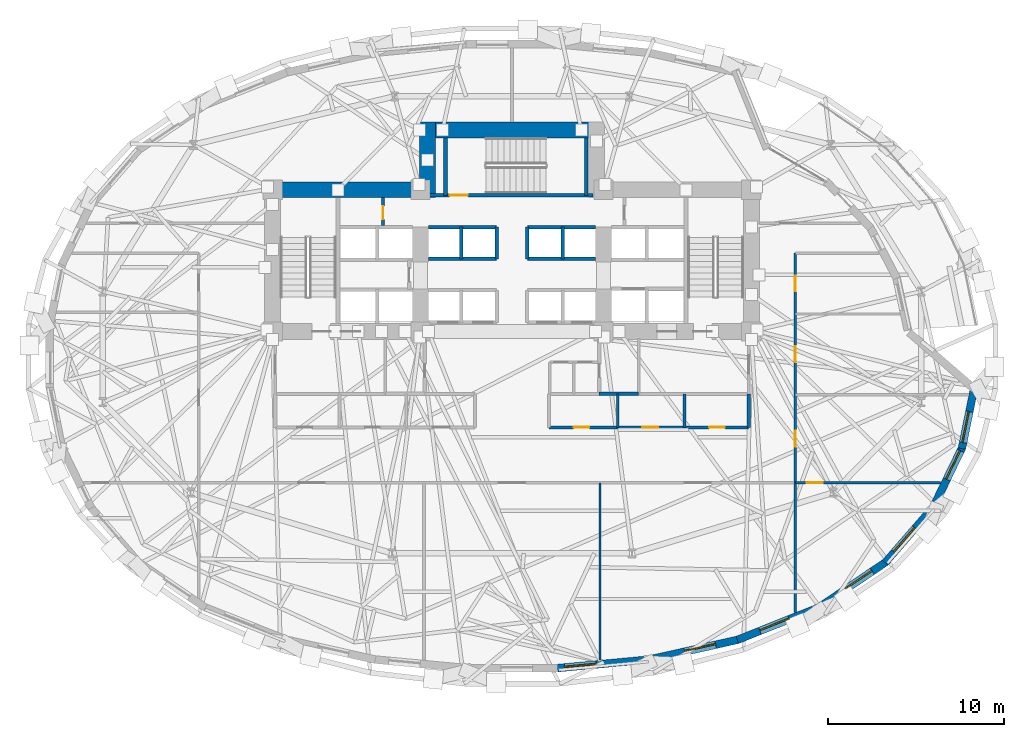
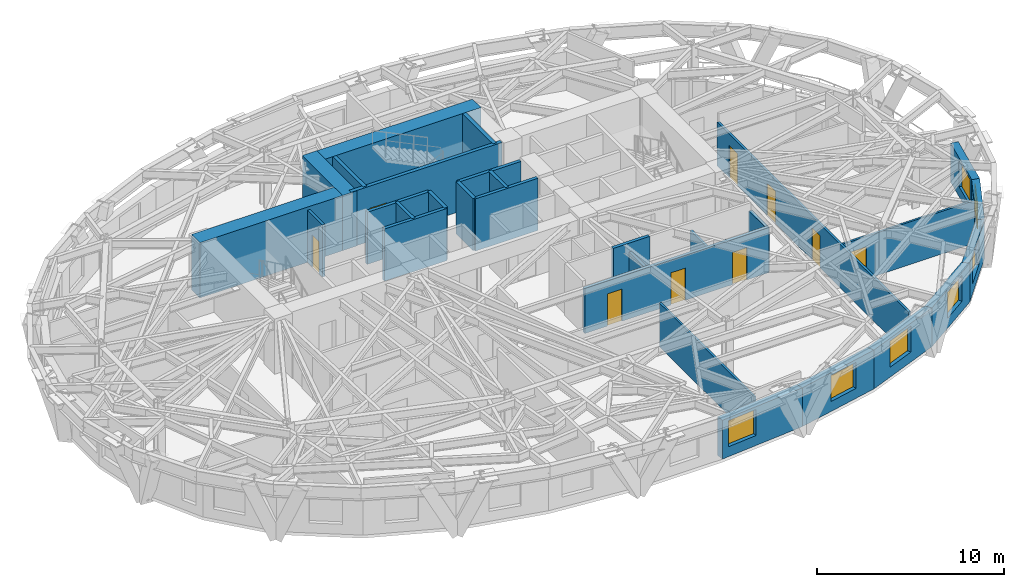
# One storey, part 9 of 15: 30 walls, 9 doors, 7 windows, 16 openings.
"""IFC4 building model written with IfcOpenShell, lengths in metres."""

from ifc_helpers import new_model, si_unit, direction, frame, frame_2d, origin, place, context, subcontext, project, spatial, rectangle, extrude, material, layer, layer_set, type_object, element, fill, save


model = new_model("IFC4")

# Units and contexts
model_context = context("Model", 3, precision=1e-05, world=origin(), true_north=direction((0.0, 1.0)))
body_context = subcontext(model_context, "Body", "Model", "MODEL_VIEW")
ifc_project = project(units=[si_unit("LENGTHUNIT", "METRE"), si_unit("AREAUNIT", "SQUARE_METRE"), si_unit("VOLUMEUNIT", "CUBIC_METRE"), si_unit("PLANEANGLEUNIT", "RADIAN"), si_unit("MASSUNIT", "GRAM", prefix="KILO")], contexts=[model_context])

# Site, building, storey
site_placement = place(None, origin())
site = spatial("IfcSite", under=ifc_project, at=site_placement, CompositionType="ELEMENT")
building_placement = place(site_placement, origin())
building = spatial("IfcBuilding", under=site, at=building_placement, Name="Keldmark Tower", CompositionType="ELEMENT")
storey_placement = place(building_placement, frame((0.0, 0.0, 37.800048828125)))
storey = spatial("IfcBuildingStorey", under=building, at=storey_placement, Name="L09", CompositionType="ELEMENT", Elevation=37.800048828125)

# Wall, openings, doors
ifc_material_1 = material(Name="Acoustic Double-Layer Gypsum Corridor Partition", Category="gypsum")
ifc_layer_1 = layer(ifc_material_1, 0.139892578125)
ifc_layer_set_1 = layer_set([ifc_layer_1], Name="Acoustic Double-Layer Gypsum Corridor Partition")
wall_type_1 = type_object("IfcWallType", Name="Acoustic Corridor Partition 140 mm", PredefinedType="PARTITIONING", material=ifc_layer_set_1)
wall_1_placement = place(storey_placement, frame((16.10009765625, -14.56640625, 0.0), z_axis=(0.0, 0.0, 1.0), x_axis=(0.0, 1.0, 0.0)))
wall_1 = element("IfcWall", 1, at=wall_1_placement, inside=storey, type_object=wall_type_1, Name="L09 Acoustic Corridor Partition 140 mm COR-E", PredefinedType="PARTITIONING", context=body_context, shape_type="SweptSolid", body=[
    extrude(rectangle(XDim=20.41650390625, YDim=0.139892578125, at=frame_2d((10.208251953125, 0.0))), origin(), (0.0, 0.0, 1.0), 2.841064453125),
])
opening_1_placement = place(wall_1_placement, frame((9.41650390625, 0.0, 0.0)))
opening_1 = element("IfcOpeningElement", 2, at=opening_1_placement, cuts=wall_1, Name="Opening D-IN090", PredefinedType="OPENING", context=body_context, shape_type="SweptSolid", body=[
    extrude(rectangle(XDim=0.89990234375, YDim=2.10009765625, at=frame_2d((0.449951171875, 1.050048828125))), frame((0.0, 0.079833984375, 0.0), z_axis=(0.0, -1.0, 0.0), x_axis=(1.0, 0.0, 0.0)), (0.0, 0.0, 1.0), 0.159912109375),
])
opening_2_placement = place(wall_1_placement, frame((14.21630859375, 0.0, 0.0)))
opening_2 = element("IfcOpeningElement", 3, at=opening_2_placement, cuts=wall_1, Name="Opening D-IN090", PredefinedType="OPENING", context=body_context, shape_type="SweptSolid", body=[
    extrude(rectangle(XDim=0.89990234375, YDim=2.10009765625, at=frame_2d((0.449951171875, 1.050048828125))), frame((0.0, 0.079833984375, 0.0), z_axis=(0.0, -1.0, 0.0), x_axis=(1.0, 0.0, 0.0)), (0.0, 0.0, 1.0), 0.159912109375),
])
opening_3_placement = place(wall_1_placement, frame((18.241455078125, 0.0, 0.0)))
opening_3 = element("IfcOpeningElement", 4, at=opening_3_placement, cuts=wall_1, Name="Opening D-IN090", PredefinedType="OPENING", context=body_context, shape_type="SweptSolid", body=[
    extrude(rectangle(XDim=0.89990234375, YDim=2.10009765625, at=frame_2d((0.449951171875, 1.050048828125))), frame((0.0, 0.079833984375, 0.0), z_axis=(0.0, -1.0, 0.0), x_axis=(1.0, 0.0, 0.0)), (0.0, 0.0, 1.0), 0.159912109375),
])
ifc_material_2 = material(Name="Stained American White Oak Veneer", Category="wood")
door_type_1 = type_object("IfcDoorType", Name="Interior Door 900x2100", OperationType="NOTDEFINED", PredefinedType="DOOR", material=ifc_material_2)
door_1_placement = place(opening_1_placement, origin())
door_1 = element("IfcDoor", 5, at=door_1_placement, inside=storey, type_object=door_type_1, Name="L09 Interior Door 900x2100 D-ER-1-L09", OperationType="SINGLE_SWING_RIGHT", OverallHeight=2.10009765625, OverallWidth=0.89990234375, PredefinedType="DOOR", context=body_context, shape_type="SweptSolid", body=[
    extrude(rectangle(XDim=0.89990234375, YDim=2.10009765625, at=frame_2d((0.449951171875, 1.050048828125))), frame((0.0, 0.02490234375, 0.0), z_axis=(0.0, -1.0, 0.0), x_axis=(1.0, 0.0, 0.0)), (0.0, 0.0, 1.0), 0.050048828125),
])
fill(opening_1, door_1)
door_2_placement = place(opening_2_placement, origin())
door_2 = element("IfcDoor", 6, at=door_2_placement, inside=storey, type_object=door_type_1, Name="L09 Interior Door 900x2100 D-ER-2-L09", OperationType="SINGLE_SWING_LEFT", OverallHeight=2.10009765625, OverallWidth=0.89990234375, PredefinedType="DOOR", context=body_context, shape_type="SweptSolid", body=[
    extrude(rectangle(XDim=0.89990234375, YDim=2.10009765625, at=frame_2d((0.449951171875, 1.050048828125))), frame((0.0, 0.02490234375, 0.0), z_axis=(0.0, -1.0, 0.0), x_axis=(1.0, 0.0, 0.0)), (0.0, 0.0, 1.0), 0.050048828125),
])
fill(opening_2, door_2)
door_3_placement = place(opening_3_placement, origin())
door_3 = element("IfcDoor", 7, at=door_3_placement, inside=storey, type_object=door_type_1, Name="L09 Interior Door 900x2100 D-ER-3-L09", OperationType="SINGLE_SWING_RIGHT", OverallHeight=2.10009765625, OverallWidth=0.89990234375, PredefinedType="DOOR", context=body_context, shape_type="SweptSolid", body=[
    extrude(rectangle(XDim=0.89990234375, YDim=2.10009765625, at=frame_2d((0.449951171875, 1.050048828125))), frame((0.0, 0.02490234375, 0.0), z_axis=(0.0, -1.0, 0.0), x_axis=(1.0, 0.0, 0.0)), (0.0, 0.0, 1.0), 0.050048828125),
])
fill(opening_3, door_3)

ifc_material_3 = material(Name="Heavy Acoustic Plumbing Chase Gypsum Assembly", Category="gypsum")
ifc_layer_2 = layer(ifc_material_3, 0.18994140625)
ifc_layer_set_2 = layer_set([ifc_layer_2], Name="Heavy Acoustic Plumbing Chase Gypsum Assembly")
wall_type_2 = type_object("IfcWallType", Name="Heavy Wet Wall 190 mm", PredefinedType="PLUMBINGWALL", material=ifc_layer_set_2)
wall_2_placement = place(storey_placement, frame((2.10009765625, -4.050048828125, 0.0), z_axis=(0.0, 0.0, 1.0), x_axis=(1.0, 0.0, 0.0)))
wall_2 = element("IfcWall", 8, at=wall_2_placement, inside=storey, type_object=wall_type_2, Name="L09 Heavy Wet Wall 190 mm SPK-E-S", PredefinedType="PLUMBINGWALL", context=body_context, shape_type="SweptSolid", body=[
    extrude(rectangle(XDim=11.349853515625, YDim=0.18994140625, at=frame_2d((5.6748046875, 0.0))), origin(), (0.0, 0.0, 1.0), 2.932861328125),
])
opening_4_placement = place(wall_2_placement, frame((1.39990234375, 0.0, 0.0)))
opening_4 = element("IfcOpeningElement", 9, at=opening_4_placement, cuts=wall_2, Name="Opening D-IN090", PredefinedType="OPENING", context=body_context, shape_type="SweptSolid", body=[
    extrude(rectangle(XDim=0.89990234375, YDim=2.10009765625, at=frame_2d((0.449951171875, 1.050048828125))), frame((0.0, 0.10498046875, 0.0), z_axis=(0.0, -1.0, 0.0), x_axis=(1.0, 0.0, 0.0)), (0.0, 0.0, 1.0), 0.2099609375),
])
opening_5_placement = place(wall_2_placement, frame((5.300048828125, 0.0, 0.0)))
opening_5 = element("IfcOpeningElement", 10, at=opening_5_placement, cuts=wall_2, Name="Opening D-IN090", PredefinedType="OPENING", context=body_context, shape_type="SweptSolid", body=[
    extrude(rectangle(XDim=0.89990234375, YDim=2.10009765625, at=frame_2d((0.449951171875, 1.050048828125))), frame((0.0, 0.10498046875, 0.0), z_axis=(0.0, -1.0, 0.0), x_axis=(1.0, 0.0, 0.0)), (0.0, 0.0, 1.0), 0.2099609375),
])
opening_6_placement = place(wall_2_placement, frame((9.10009765625, 0.0, 0.0)))
opening_6 = element("IfcOpeningElement", 11, at=opening_6_placement, cuts=wall_2, Name="Opening D-IN090", PredefinedType="OPENING", context=body_context, shape_type="SweptSolid", body=[
    extrude(rectangle(XDim=0.89990234375, YDim=2.10009765625, at=frame_2d((0.449951171875, 1.050048828125))), frame((0.0, 0.10498046875, 0.0), z_axis=(0.0, -1.0, 0.0), x_axis=(1.0, 0.0, 0.0)), (0.0, 0.0, 1.0), 0.2099609375),
])
door_4_placement = place(opening_4_placement, origin())
door_4 = element("IfcDoor", 12, at=door_4_placement, inside=storey, type_object=door_type_1, Name="L09 Interior Door 900x2100 D-SPKE1-L09", OperationType="SINGLE_SWING_RIGHT", OverallHeight=2.10009765625, OverallWidth=0.89990234375, PredefinedType="DOOR", context=body_context, shape_type="SweptSolid", body=[
    extrude(rectangle(XDim=0.89990234375, YDim=2.10009765625, at=frame_2d((0.449951171875, 1.050048828125))), frame((0.0, 0.02490234375, 0.0), z_axis=(0.0, -1.0, 0.0), x_axis=(1.0, 0.0, 0.0)), (0.0, 0.0, 1.0), 0.050048828125),
])
fill(opening_4, door_4)
door_5_placement = place(opening_5_placement, origin())
door_5 = element("IfcDoor", 13, at=door_5_placement, inside=storey, type_object=door_type_1, Name="L09 Interior Door 900x2100 D-SPKE2-L09", OperationType="SINGLE_SWING_LEFT", OverallHeight=2.10009765625, OverallWidth=0.89990234375, PredefinedType="DOOR", context=body_context, shape_type="SweptSolid", body=[
    extrude(rectangle(XDim=0.89990234375, YDim=2.10009765625, at=frame_2d((0.449951171875, 1.050048828125))), frame((0.0, 0.02490234375, 0.0), z_axis=(0.0, -1.0, 0.0), x_axis=(1.0, 0.0, 0.0)), (0.0, 0.0, 1.0), 0.050048828125),
])
fill(opening_5, door_5)
door_6_placement = place(opening_6_placement, origin())
door_6 = element("IfcDoor", 14, at=door_6_placement, inside=storey, type_object=door_type_1, Name="L09 Interior Door 900x2100 D-SPKE3-L09", OperationType="SINGLE_SWING_RIGHT", OverallHeight=2.10009765625, OverallWidth=0.89990234375, PredefinedType="DOOR", context=body_context, shape_type="SweptSolid", body=[
    extrude(rectangle(XDim=0.89990234375, YDim=2.10009765625, at=frame_2d((0.449951171875, 1.050048828125))), frame((0.0, 0.02490234375, 0.0), z_axis=(0.0, -1.0, 0.0), x_axis=(1.0, 0.0, 0.0)), (0.0, 0.0, 1.0), 0.050048828125),
])
fill(opening_6, door_6)

# Walls
wall_3_placement = place(storey_placement, frame((13.449951171875, -4.050048828125, 0.0), z_axis=(0.0, 0.0, 1.0), x_axis=(0.0, 1.0, 0.0)))
element("IfcWall", 15, at=wall_3_placement, inside=storey, type_object=wall_type_2, Name="L09 Heavy Wet Wall 190 mm SPK-E-E", PredefinedType="PLUMBINGWALL", context=body_context, shape_type="SweptSolid", body=[
    extrude(rectangle(XDim=1.900146484375, YDim=0.18994140625, at=frame_2d((0.9501953125, 0.0))), origin(), (0.0, 0.0, 1.0), 2.85302734375),
])
ifc_material_4 = material(Name="Acoustic Gypsum Board Interior Partition", Category="gypsum")
ifc_layer_3 = layer(ifc_material_4, 0.1298828125)
ifc_layer_set_3 = layer_set([ifc_layer_3], Name="Acoustic Gypsum Board Interior Partition")
wall_type_3 = type_object("IfcWallType", Name="Interior Partition 130 mm", PredefinedType="PARTITIONING", material=ifc_layer_set_3)
wall_4_placement = place(storey_placement, frame((5.0, -17.2734375, 0.0), z_axis=(0.0, 0.0, 1.0), x_axis=(0.0, 1.0, 0.0)))
element("IfcWall", 16, at=wall_4_placement, inside=storey, type_object=wall_type_3, Name="L09 Interior Partition 130 mm S-DIV-2", PredefinedType="PARTITIONING", context=body_context, shape_type="SweptSolid", body=[
    extrude(rectangle(XDim=10.073486328125, YDim=0.1298828125, at=frame_2d((5.03662109375, 0.0))), origin(), (0.0, 0.0, 1.0), 2.85302734375),
])

# Wall, opening, door
wall_5_placement = place(storey_placement, frame((16.10009765625, -7.199951171875, 0.0), z_axis=(0.0, 0.0, 1.0), x_axis=(1.0, 0.0, 0.0)))
wall_5 = element("IfcWall", 17, at=wall_5_placement, inside=storey, type_object=wall_type_3, Name="L09 Interior Partition 130 mm E-CAP-S", PredefinedType="PARTITIONING", context=body_context, shape_type="SweptSolid", body=[
    extrude(rectangle(XDim=8.251220703125, YDim=0.1298828125, at=frame_2d((4.12548828125, 0.0))), origin(), (0.0, 0.0, 1.0), 2.779052734375),
])
opening_7_placement = place(wall_5_placement, frame((0.64990234375, 0.0, 0.0)))
opening_7 = element("IfcOpeningElement", 18, at=opening_7_placement, cuts=wall_5, Name="Opening D-IN090", PredefinedType="OPENING", context=body_context, shape_type="SweptSolid", body=[
    extrude(rectangle(XDim=0.89990234375, YDim=2.10009765625, at=frame_2d((0.449951171875, 1.050048828125))), frame((0.0, 0.074951171875, 0.0), z_axis=(0.0, -1.0, 0.0), x_axis=(1.0, 0.0, 0.0)), (0.0, 0.0, 1.0), 0.14990234375),
])
door_7_placement = place(opening_7_placement, origin())
door_7 = element("IfcDoor", 19, at=door_7_placement, inside=storey, type_object=door_type_1, Name="L09 Interior Door 900x2100 D-ERSE-L09", OperationType="SINGLE_SWING_LEFT", OverallHeight=2.10009765625, OverallWidth=0.89990234375, PredefinedType="DOOR", context=body_context, shape_type="SweptSolid", body=[
    extrude(rectangle(XDim=0.89990234375, YDim=2.10009765625, at=frame_2d((0.449951171875, 1.050048828125))), frame((0.0, 0.02490234375, 0.0), z_axis=(0.0, -1.0, 0.0), x_axis=(1.0, 0.0, 0.0)), (0.0, 0.0, 1.0), 0.050048828125),
])
fill(opening_7, door_7)

# Walls
ifc_material_5 = material(Name="Concrete C70/85", Category="concrete")
ifc_layer_4 = layer(ifc_material_5, 0.89990234375)
ifc_layer_set_4 = layer_set([ifc_layer_4], Name="Concrete C70/85")
wall_type_4 = type_object("IfcWallType", Name="Lower Core Shear Wall 900 mm", PredefinedType="SHEAR", material=ifc_layer_set_4)
wall_6_placement = place(storey_placement, frame((-14.050048828125, 9.449951171875, 0.0), z_axis=(0.0, 0.0, 1.0), x_axis=(1.0, 0.0, 0.0)))
element("IfcWall", 20, at=wall_6_placement, inside=storey, type_object=wall_type_4, Name="L09 West Core North Shear Wall", PredefinedType="SHEAR", context=body_context, shape_type="SweptSolid", body=[
    extrude(rectangle(XDim=9.699951171875, YDim=0.89990234375, at=frame_2d((4.85009765625, 0.0))), origin(), (0.0, 0.0, 1.0), 3.599853515625),
])
wall_7_placement = place(storey_placement, frame((-5.25, 12.85009765625, 0.0), z_axis=(0.0, 0.0, 1.0), x_axis=(1.0, 0.0, 0.0)))
element("IfcWall", 21, at=wall_7_placement, inside=storey, type_object=wall_type_4, Name="L09 North Core Shear Wall", PredefinedType="SHEAR", context=body_context, shape_type="SweptSolid", body=[
    extrude(rectangle(XDim=10.5, YDim=0.89990234375, at=frame_2d((5.25, 0.0))), origin(), (0.0, 0.0, 1.0), 3.599853515625),
])
wall_8_placement = place(storey_placement, frame((-4.800048828125, 9.0, 0.0), z_axis=(0.0, 0.0, 1.0), x_axis=(0.0, 1.0, 0.0)))
element("IfcWall", 22, at=wall_8_placement, inside=storey, type_object=wall_type_4, Name="L09 North Core West Shear Wall", PredefinedType="SHEAR", context=body_context, shape_type="SweptSolid", body=[
    extrude(rectangle(XDim=4.300048828125, YDim=0.89990234375, at=frame_2d((2.14990234375, 0.0))), origin(), (0.0, 0.0, 1.0), 3.599853515625),
])

# Wall, opening, door
ifc_material_6 = material(Name="Type X Fire-Rated Gypsum Partition Assembly", Category="gypsum")
ifc_layer_5 = layer(ifc_material_6, 0.1650390625)
ifc_layer_set_5 = layer_set([ifc_layer_5], Name="Type X Fire-Rated Gypsum Partition Assembly")
wall_type_5 = type_object("IfcWallType", Name="Rated Partition 165 mm", PredefinedType="PARTITIONING", material=ifc_layer_set_5)
wall_9_placement = place(storey_placement, frame((-7.330078125, 7.419921875, 0.0), z_axis=(0.0, 0.0, 1.0), x_axis=(0.0, 1.0, 0.0)))
wall_9 = element("IfcWall", 23, at=wall_9_placement, inside=storey, type_object=wall_type_5, Name="L09 Rated Partition 165 mm CS-NW-E", PredefinedType="PARTITIONING", context=body_context, shape_type="SweptSolid", body=[
    extrude(rectangle(XDim=1.580078125, YDim=0.1650390625, at=frame_2d((0.7900390625, 0.0))), origin(), (0.0, 0.0, 1.0), 3.39990234375),
])
opening_8_placement = place(wall_9_placement, frame((0.35009765625, 0.0, 0.0)))
opening_8 = element("IfcOpeningElement", 24, at=opening_8_placement, cuts=wall_9, Name="Opening D-RS075", PredefinedType="OPENING", context=body_context, shape_type="SweptSolid", body=[
    extrude(rectangle(XDim=0.75, YDim=2.10009765625, at=frame_2d((0.375, 1.050048828125))), frame((0.0, 0.092529296875, 0.0), z_axis=(0.0, -1.0, 0.0), x_axis=(1.0, 0.0, 0.0)), (0.0, 0.0, 1.0), 0.18505859375),
])
ifc_material_7 = material(Name="Galvanized Fire-Rated Access Leaf", Category="metal")
door_type_2 = type_object("IfcDoorType", Name="Riser Access Door 750x2100", OperationType="NOTDEFINED", PredefinedType="DOOR", material=ifc_material_7)
door_8_placement = place(opening_8_placement, origin())
door_8 = element("IfcDoor", 25, at=door_8_placement, inside=storey, type_object=door_type_2, Name="L09 Riser Access Door 750x2100 D-CSNW1-L09", OperationType="SINGLE_SWING_RIGHT", OverallHeight=2.10009765625, OverallWidth=0.75, PredefinedType="DOOR", context=body_context, shape_type="SweptSolid", body=[
    extrude(rectangle(XDim=0.75, YDim=2.10009765625, at=frame_2d((0.375, 1.050048828125))), frame((0.0, 0.02490234375, 0.0), z_axis=(0.0, -1.0, 0.0), x_axis=(1.0, 0.0, 0.0)), (0.0, 0.0, 1.0), 0.050048828125),
])
fill(opening_8, door_8)

# Walls
ifc_material_8 = material(Name="Fire-Resistant Type X Gypsum Shaftliner Coreboard", Category="gypsum")
ifc_layer_6 = layer(ifc_material_8, 0.199951171875)
ifc_layer_set_6 = layer_set([ifc_layer_6], Name="Fire-Resistant Type X Gypsum Shaftliner Coreboard")
wall_type_6 = type_object("IfcWallType", Name="Shaft Wall 200 mm", PredefinedType="SOLIDWALL", material=ifc_layer_set_6)
wall_10_placement = place(storey_placement, frame((4.949951171875, -2.14990234375, 0.0), z_axis=(0.0, 0.0, 1.0), x_axis=(1.0, 0.0, 0.0)))
element("IfcWall", 26, at=wall_10_placement, inside=storey, type_object=wall_type_6, Name="L09 Shaft Wall 200 mm RIS-SE-S", PredefinedType="SOLIDWALL", context=body_context, shape_type="SweptSolid", body=[
    extrude(rectangle(XDim=2.25, YDim=0.199951171875, at=frame_2d((1.125, 0.0))), origin(), (0.0, 0.0, 1.0), 3.39990234375),
])
for number, where, z_axis, x_axis, name in (
    (27, (-4.739990234375, 5.52001953125, 0.0), (0.0, 0.0, 1.0), (1.0, 0.0, 0.0), "L09 Shaft Wall 200 mm MID-S-W"),
    (28, (0.8798828125, 5.52001953125, 0.0), (0.0, 0.0, 1.0), (1.0, 0.0, 0.0), "L09 Shaft Wall 200 mm MID-S-E"),
    (29, (-4.739990234375, 7.330078125, 0.0), (0.0, 0.0, 1.0), (1.0, 0.0, 0.0), "L09 Shaft Wall 200 mm MID-N-W"),
    (30, (0.8798828125, 7.330078125, 0.0), (0.0, 0.0, 1.0), (1.0, 0.0, 0.0), "L09 Shaft Wall 200 mm MID-N-E"),
):
    element("IfcWall", number, at=place(storey_placement, frame(where, z_axis=z_axis, x_axis=x_axis)), inside=storey, type_object=wall_type_6, Name=name, PredefinedType="SOLIDWALL", context=body_context, shape_type="SweptSolid", body=[
        extrude(rectangle(XDim=3.860107421875, YDim=0.199951171875, at=frame_2d((1.93017578125, 0.0))), origin(), (0.0, 0.0, 1.0), 3.39990234375),
    ])
for number, where, z_axis, x_axis, name in (
    (31, (-2.8798828125, 5.52001953125, 0.0), (0.0, 0.0, 1.0), (0.0, 1.0, 0.0), "L09 Shaft Wall 200 mm MID-M-W"),
    (32, (2.8798828125, 5.52001953125, 0.0), (0.0, 0.0, 1.0), (0.0, 1.0, 0.0), "L09 Shaft Wall 200 mm MID-M-E"),
    (33, (-0.8798828125, 5.52001953125, 0.0), (0.0, 0.0, 1.0), (0.0, 1.0, 0.0), "L09 Shaft Wall 200 mm MID-C-W"),
    (34, (0.8798828125, 5.52001953125, 0.0), (0.0, 0.0, 1.0), (0.0, 1.0, 0.0), "L09 Shaft Wall 200 mm MID-C-E"),
):
    element("IfcWall", number, at=place(storey_placement, frame(where, z_axis=z_axis, x_axis=x_axis)), inside=storey, type_object=wall_type_6, Name=name, PredefinedType="SOLIDWALL", context=body_context, shape_type="SweptSolid", body=[
        extrude(rectangle(XDim=1.81005859375, YDim=0.199951171875, at=frame_2d((0.905029296875, 0.0))), origin(), (0.0, 0.0, 1.0), 3.39990234375),
    ])

# Wall, opening, door
ifc_material_9 = material(Name="Concrete C50/60", Category="concrete")
ifc_layer_7 = layer(ifc_material_9, 0.219970703125)
ifc_layer_set_7 = layer_set([ifc_layer_7], Name="Concrete C50/60")
wall_type_7 = type_object("IfcWallType", Name="Stair Core Shear Wall 220 mm", PredefinedType="SHEAR", material=ifc_layer_set_7)
wall_11_placement = place(storey_placement, frame((-4.699951171875, 9.139892578125, 0.0), z_axis=(0.0, 0.0, 1.0), x_axis=(1.0, 0.0, 0.0)))
wall_11 = element("IfcWall", 35, at=wall_11_placement, inside=storey, type_object=wall_type_7, Name="L09 Central Stair Core South Shear Wall", PredefinedType="SHEAR", context=body_context, shape_type="SweptSolid", body=[
    extrude(rectangle(XDim=9.300048828125, YDim=0.219970703125, at=frame_2d((4.64990234375, 0.0))), origin(), (0.0, 0.0, 1.0), 3.599853515625),
])
opening_9_placement = place(wall_11_placement, frame((1.14990234375, 0.0, 0.0)))
opening_9 = element("IfcOpeningElement", 36, at=opening_9_placement, cuts=wall_11, Name="Opening D-ST105", PredefinedType="OPENING", context=body_context, shape_type="SweptSolid", body=[
    extrude(rectangle(XDim=1.050048828125, YDim=2.14990234375, at=frame_2d((0.52490234375, 1.074951171875))), frame((0.0, 0.119873046875, 0.0), z_axis=(0.0, -1.0, 0.0), x_axis=(1.0, 0.0, 0.0)), (0.0, 0.0, 1.0), 0.239990234375),
])
ifc_material_10 = material(Name="Hollow Metal Fire-Rated Door Assembly", Category="metal")
door_type_3 = type_object("IfcDoorType", Name="Stair Fire Door 1050x2150", OperationType="NOTDEFINED", PredefinedType="DOOR", material=ifc_material_10)
door_9_placement = place(opening_9_placement, origin())
door_9 = element("IfcDoor", 37, at=door_9_placement, inside=storey, type_object=door_type_3, Name="L09 Stair Fire Door 1050x2150 D-ST3-L09", OperationType="SINGLE_SWING_RIGHT", OverallHeight=2.14990234375, OverallWidth=1.050048828125, PredefinedType="DOOR", context=body_context, shape_type="SweptSolid", body=[
    extrude(rectangle(XDim=1.050048828125, YDim=2.14990234375, at=frame_2d((0.52490234375, 1.074951171875))), frame((0.0, 0.02490234375, 0.0), z_axis=(0.0, -1.0, 0.0), x_axis=(1.0, 0.0, 0.0)), (0.0, 0.0, 1.0), 0.050048828125),
])
fill(opening_9, door_9)

# Walls
for number, where, z_axis, x_axis, name in (
    (38, (-3.784912109375, 9.139892578125, 0.0), (0.0, 0.0, 1.0), (0.0, 1.0, 0.0), "L09 Central Stair Core West Shear Wall"),
    (39, (4.215087890625, 9.139892578125, 0.0), (0.0, 0.0, 1.0), (0.0, 1.0, 0.0), "L09 Central Stair Core East Shear Wall"),
):
    element("IfcWall", number, at=place(storey_placement, frame(where, z_axis=z_axis, x_axis=x_axis)), inside=storey, type_object=wall_type_7, Name=name, PredefinedType="SHEAR", context=body_context, shape_type="SweptSolid", body=[
        extrude(rectangle(XDim=3.260009765625, YDim=0.219970703125, at=frame_2d((1.6298828125, 0.0))), origin(), (0.0, 0.0, 1.0), 3.599853515625),
    ])

# Wall, opening, window
ifc_material_11 = material(Name="Ironspot Manganese Brick and Kasota Buff Limestone Spandrel Assembly", Category="masonry")
ifc_layer_8 = layer(ifc_material_11, 0.43994140625)
ifc_layer_set_8 = layer_set([ifc_layer_8], Name="Ironspot Manganese Brick and Kasota Buff Limestone Spandrel Assembly")
wall_type_8 = type_object("IfcWallType", Name="Tower Brick Pier and Spandrel Wall 440 mm", PredefinedType="STANDARD", material=ifc_layer_set_8)
wall_12_placement = place(storey_placement, frame((7.798583984375, -17.240478515625, 0.0), z_axis=(0.0, 0.0, 1.0), x_axis=(-0.995649119539, -0.093181708301, 0.0)))
wall_12 = element("IfcWall", 40, at=wall_12_placement, inside=storey, type_object=wall_type_8, Name="L09 Exterior Brick and Spandrel Wall 25", PredefinedType="STANDARD", context=body_context, shape_type="SweptSolid", body=[
    extrude(rectangle(XDim=5.232177734375, YDim=0.43994140625, at=frame_2d((2.6162109375, 0.0))), origin(), (0.0, 0.0, 1.0), 2.532958984375),
])
opening_10_placement = place(wall_12_placement, frame((3.033203125, 0.0, 0.64990234375)))
opening_10 = element("IfcOpeningElement", 41, at=opening_10_placement, cuts=wall_12, Name="Opening W-02", PredefinedType="OPENING", context=body_context, shape_type="SweptSolid", body=[
    extrude(rectangle(XDim=1.800048828125, YDim=1.699951171875, at=frame_2d((0.89990234375, 0.85009765625))), frame((0.0, 0.22998046875, 0.0), z_axis=(0.0, -1.0, 0.0), x_axis=(1.0, 0.0, 0.0)), (0.0, 0.0, 1.0), 0.4599609375),
])
ifc_material_12 = material(Name="Thermally Broken Anodized Aluminum and Triple Low-E Argon Glazing", Category="aluminium")
window_type = type_object("IfcWindowType", Name="Office Deep-Set Triple Window 1800x1700", PartitioningType="TRIPLE_PANEL_VERTICAL", PredefinedType="WINDOW", material=ifc_material_12)
window_1_placement = place(opening_10_placement, origin())
window_1 = element("IfcWindow", 42, at=window_1_placement, inside=storey, type_object=window_type, Name="L09 Deep-Set Window 25", OverallHeight=1.699951171875, OverallWidth=1.800048828125, PartitioningType="SINGLE_PANEL", PredefinedType="WINDOW", context=body_context, shape_type="SweptSolid", body=[
    extrude(rectangle(XDim=1.800048828125, YDim=1.699951171875, at=frame_2d((0.89990234375, 0.85009765625))), frame((0.0, -0.010009765625, 0.0), z_axis=(0.0, -1.0, 0.0), x_axis=(1.0, 0.0, 0.0)), (0.0, 0.0, 1.0), 0.06005859375),
])
fill(opening_10, window_1)

wall_13_placement = place(storey_placement, frame((12.837158203125, -16.114013671875, 0.0), z_axis=(0.0, 0.0, 1.0), x_axis=(-0.975980782399, -0.217856632648, 0.0)))
wall_13 = element("IfcWall", 43, at=wall_13_placement, inside=storey, type_object=wall_type_8, Name="L09 Exterior Brick and Spandrel Wall 26", PredefinedType="STANDARD", context=body_context, shape_type="SweptSolid", body=[
    extrude(rectangle(XDim=5.19091796875, YDim=0.43994140625, at=frame_2d((2.595458984375, 0.0))), origin(), (0.0, 0.0, 1.0), 2.532958984375),
])
opening_11_placement = place(wall_13_placement, frame((1.296630859375, 0.0, 0.64990234375)))
opening_11 = element("IfcOpeningElement", 44, at=opening_11_placement, cuts=wall_13, Name="Opening W-02", PredefinedType="OPENING", context=body_context, shape_type="SweptSolid", body=[
    extrude(rectangle(XDim=1.800048828125, YDim=1.699951171875, at=frame_2d((0.89990234375, 0.85009765625))), frame((0.0, 0.22998046875, 0.0), z_axis=(0.0, -1.0, 0.0), x_axis=(1.0, 0.0, 0.0)), (0.0, 0.0, 1.0), 0.4599609375),
])
window_2_placement = place(opening_11_placement, origin())
window_2 = element("IfcWindow", 45, at=window_2_placement, inside=storey, type_object=window_type, Name="L09 Deep-Set Window 26", OverallHeight=1.699951171875, OverallWidth=1.800048828125, PartitioningType="SINGLE_PANEL", PredefinedType="WINDOW", context=body_context, shape_type="SweptSolid", body=[
    extrude(rectangle(XDim=1.800048828125, YDim=1.699951171875, at=frame_2d((0.89990234375, 0.85009765625))), frame((0.0, -0.010009765625, 0.0), z_axis=(0.0, -1.0, 0.0), x_axis=(1.0, 0.0, 0.0)), (0.0, 0.0, 1.0), 0.06005859375),
])
fill(opening_11, window_2)

wall_14_placement = place(storey_placement, frame((17.45703125, -14.271240234375, 0.0), z_axis=(0.0, 0.0, 1.0), x_axis=(-0.929030310441, -0.370003624688, 0.0)))
wall_14 = element("IfcWall", 46, at=wall_14_placement, inside=storey, type_object=wall_type_8, Name="L09 Exterior Brick and Spandrel Wall 27", PredefinedType="STANDARD", context=body_context, shape_type="SweptSolid", body=[
    extrude(rectangle(XDim=5.0087890625, YDim=0.43994140625, at=frame_2d((2.50439453125, 0.0))), origin(), (0.0, 0.0, 1.0), 2.532958984375),
])
opening_12_placement = place(wall_14_placement, frame((1.826171875, 0.0, 0.64990234375)))
opening_12 = element("IfcOpeningElement", 47, at=opening_12_placement, cuts=wall_14, Name="Opening W-02", PredefinedType="OPENING", context=body_context, shape_type="SweptSolid", body=[
    extrude(rectangle(XDim=1.800048828125, YDim=1.699951171875, at=frame_2d((0.89990234375, 0.85009765625))), frame((0.0, 0.22998046875, 0.0), z_axis=(0.0, -1.0, 0.0), x_axis=(1.0, 0.0, 0.0)), (0.0, 0.0, 1.0), 0.4599609375),
])
window_3_placement = place(opening_12_placement, origin())
window_3 = element("IfcWindow", 48, at=window_3_placement, inside=storey, type_object=window_type, Name="L09 Deep-Set Window 27", OverallHeight=1.699951171875, OverallWidth=1.800048828125, PartitioningType="SINGLE_PANEL", PredefinedType="WINDOW", context=body_context, shape_type="SweptSolid", body=[
    extrude(rectangle(XDim=1.800048828125, YDim=1.699951171875, at=frame_2d((0.89990234375, 0.85009765625))), frame((0.0, -0.010009765625, 0.0), z_axis=(0.0, -1.0, 0.0), x_axis=(1.0, 0.0, 0.0)), (0.0, 0.0, 1.0), 0.06005859375),
])
fill(opening_12, window_3)

wall_15_placement = place(storey_placement, frame((21.2470703125, -11.69775390625, 0.0), z_axis=(0.0, 0.0, 1.0), x_axis=(-0.827913159939, -0.560856309227, 0.0)))
wall_15 = element("IfcWall", 49, at=wall_15_placement, inside=storey, type_object=wall_type_8, Name="L09 Exterior Brick and Spandrel Wall 28", PredefinedType="STANDARD", context=body_context, shape_type="SweptSolid", body=[
    extrude(rectangle(XDim=4.628662109375, YDim=0.43994140625, at=frame_2d((2.314453125, 0.0))), origin(), (0.0, 0.0, 1.0), 2.532958984375),
])
opening_13_placement = place(wall_15_placement, frame((0.943359375, 0.0, 0.64990234375)))
opening_13 = element("IfcOpeningElement", 50, at=opening_13_placement, cuts=wall_15, Name="Opening W-02", PredefinedType="OPENING", context=body_context, shape_type="SweptSolid", body=[
    extrude(rectangle(XDim=1.800048828125, YDim=1.699951171875, at=frame_2d((0.89990234375, 0.85009765625))), frame((0.0, 0.22998046875, 0.0), z_axis=(0.0, -1.0, 0.0), x_axis=(1.0, 0.0, 0.0)), (0.0, 0.0, 1.0), 0.4599609375),
])
window_4_placement = place(opening_13_placement, origin())
window_4 = element("IfcWindow", 51, at=window_4_placement, inside=storey, type_object=window_type, Name="L09 Deep-Set Window 28", OverallHeight=1.699951171875, OverallWidth=1.800048828125, PartitioningType="SINGLE_PANEL", PredefinedType="WINDOW", context=body_context, shape_type="SweptSolid", body=[
    extrude(rectangle(XDim=1.800048828125, YDim=1.699951171875, at=frame_2d((0.89990234375, 0.85009765625))), frame((0.0, -0.010009765625, 0.0), z_axis=(0.0, -1.0, 0.0), x_axis=(1.0, 0.0, 0.0)), (0.0, 0.0, 1.0), 0.06005859375),
])
fill(opening_13, window_4)

wall_16_placement = place(storey_placement, frame((23.940185546875, -8.583740234375, 0.0), z_axis=(0.0, 0.0, 1.0), x_axis=(-0.655509370307, -0.755187040037, 0.0)))
wall_16 = element("IfcWall", 52, at=wall_16_placement, inside=storey, type_object=wall_type_8, Name="L09 Exterior Brick and Spandrel Wall 29", PredefinedType="STANDARD", context=body_context, shape_type="SweptSolid", body=[
    extrude(rectangle(XDim=4.173583984375, YDim=0.43994140625, at=frame_2d((2.0869140625, 0.0))), origin(), (0.0, 0.0, 1.0), 2.532958984375),
])
opening_14_placement = place(wall_16_placement, frame((1.58154296875, 0.0, 0.64990234375)))
opening_14 = element("IfcOpeningElement", 53, at=opening_14_placement, cuts=wall_16, Name="Opening W-02", PredefinedType="OPENING", context=body_context, shape_type="SweptSolid", body=[
    extrude(rectangle(XDim=1.800048828125, YDim=1.699951171875, at=frame_2d((0.89990234375, 0.85009765625))), frame((0.0, 0.22998046875, 0.0), z_axis=(0.0, -1.0, 0.0), x_axis=(1.0, 0.0, 0.0)), (0.0, 0.0, 1.0), 0.4599609375),
])
window_5_placement = place(opening_14_placement, origin())
window_5 = element("IfcWindow", 54, at=window_5_placement, inside=storey, type_object=window_type, Name="L09 Deep-Set Window 29", OverallHeight=1.699951171875, OverallWidth=1.800048828125, PartitioningType="SINGLE_PANEL", PredefinedType="WINDOW", context=body_context, shape_type="SweptSolid", body=[
    extrude(rectangle(XDim=1.800048828125, YDim=1.699951171875, at=frame_2d((0.89990234375, 0.85009765625))), frame((0.0, -0.010009765625, 0.0), z_axis=(0.0, -1.0, 0.0), x_axis=(1.0, 0.0, 0.0)), (0.0, 0.0, 1.0), 0.06005859375),
])
fill(opening_14, window_5)

wall_17_placement = place(storey_placement, frame((25.577880859375, -5.2001953125, 0.0), z_axis=(0.0, 0.0, 1.0), x_axis=(-0.437488090563, -0.899224204865, 0.0)))
wall_17 = element("IfcWall", 55, at=wall_17_placement, inside=storey, type_object=wall_type_8, Name="L09 Exterior Brick and Spandrel Wall 30", PredefinedType="STANDARD", context=body_context, shape_type="SweptSolid", body=[
    extrude(rectangle(XDim=3.81591796875, YDim=0.43994140625, at=frame_2d((1.907958984375, 0.0))), origin(), (0.0, 0.0, 1.0), 2.532958984375),
])
opening_15_placement = place(wall_17_placement, frame((0.199951171875, 0.0, 0.64990234375)))
opening_15 = element("IfcOpeningElement", 56, at=opening_15_placement, cuts=wall_17, Name="Opening W-02", PredefinedType="OPENING", context=body_context, shape_type="SweptSolid", body=[
    extrude(rectangle(XDim=1.800048828125, YDim=1.699951171875, at=frame_2d((0.89990234375, 0.85009765625))), frame((0.0, 0.22998046875, 0.0), z_axis=(0.0, -1.0, 0.0), x_axis=(1.0, 0.0, 0.0)), (0.0, 0.0, 1.0), 0.4599609375),
])
window_6_placement = place(opening_15_placement, origin())
window_6 = element("IfcWindow", 57, at=window_6_placement, inside=storey, type_object=window_type, Name="L09 Deep-Set Window 30", OverallHeight=1.699951171875, OverallWidth=1.800048828125, PartitioningType="SINGLE_PANEL", PredefinedType="WINDOW", context=body_context, shape_type="SweptSolid", body=[
    extrude(rectangle(XDim=1.800048828125, YDim=1.699951171875, at=frame_2d((0.89990234375, 0.85009765625))), frame((0.0, -0.010009765625, 0.0), z_axis=(0.0, -1.0, 0.0), x_axis=(1.0, 0.0, 0.0)), (0.0, 0.0, 1.0), 0.06005859375),
])
fill(opening_15, window_6)

wall_18_placement = place(storey_placement, frame((26.27978515625, -1.7236328125, 0.0), z_axis=(0.0, 0.0, 1.0), x_axis=(-0.199856409009, -0.979825196542, 0.0)))
wall_18 = element("IfcWall", 58, at=wall_18_placement, inside=storey, type_object=wall_type_8, Name="L09 Exterior Brick and Spandrel Wall 31", PredefinedType="STANDARD", context=body_context, shape_type="SweptSolid", body=[
    extrude(rectangle(XDim=3.601318359375, YDim=0.43994140625, at=frame_2d((1.80078125, 0.0))), origin(), (0.0, 0.0, 1.0), 2.532958984375),
])
opening_16_placement = place(wall_18_placement, frame((1.456298828125, 0.0, 0.64990234375)))
opening_16 = element("IfcOpeningElement", 59, at=opening_16_placement, cuts=wall_18, Name="Opening W-02", PredefinedType="OPENING", context=body_context, shape_type="SweptSolid", body=[
    extrude(rectangle(XDim=1.800048828125, YDim=1.699951171875, at=frame_2d((0.89990234375, 0.85009765625))), frame((0.0, 0.22998046875, 0.0), z_axis=(0.0, -1.0, 0.0), x_axis=(1.0, 0.0, 0.0)), (0.0, 0.0, 1.0), 0.4599609375),
])
window_7_placement = place(opening_16_placement, origin())
window_7 = element("IfcWindow", 60, at=window_7_placement, inside=storey, type_object=window_type, Name="L09 Deep-Set Window 31", OverallHeight=1.699951171875, OverallWidth=1.800048828125, PartitioningType="SINGLE_PANEL", PredefinedType="WINDOW", context=body_context, shape_type="SweptSolid", body=[
    extrude(rectangle(XDim=1.800048828125, YDim=1.699951171875, at=frame_2d((0.89990234375, 0.85009765625))), frame((0.0, -0.010009765625, 0.0), z_axis=(0.0, -1.0, 0.0), x_axis=(1.0, 0.0, 0.0)), (0.0, 0.0, 1.0), 0.06005859375),
])
fill(opening_16, window_7)

# Walls
ifc_material_13 = material(Name="Moisture-Resistant Gypsum Plumbing Partition", Category="gypsum")
ifc_layer_9 = layer(ifc_material_13, 0.14990234375)
ifc_layer_set_9 = layer_set([ifc_layer_9], Name="Moisture-Resistant Gypsum Plumbing Partition")
wall_type_9 = type_object("IfcWallType", Name="Wet Wall 150 mm", PredefinedType="PLUMBINGWALL", material=ifc_layer_set_9)
wall_19_placement = place(storey_placement, frame((6.0, -4.050048828125, 0.0), z_axis=(0.0, 0.0, 1.0), x_axis=(0.0, 1.0, 0.0)))
element("IfcWall", 61, at=wall_19_placement, inside=storey, type_object=wall_type_9, Name="L09 Wet Wall 150 mm SPK-E-D1", PredefinedType="PLUMBINGWALL", context=body_context, shape_type="SweptSolid", body=[
    extrude(rectangle(XDim=1.900146484375, YDim=0.14990234375, at=frame_2d((0.9501953125, 0.0))), origin(), (0.0, 0.0, 1.0), 2.841064453125),
])
wall_20_placement = place(storey_placement, frame((9.800048828125, -4.050048828125, 0.0), z_axis=(0.0, 0.0, 1.0), x_axis=(0.0, 1.0, 0.0)))
element("IfcWall", 62, at=wall_20_placement, inside=storey, type_object=wall_type_9, Name="L09 Wet Wall 150 mm SPK-E-D2", PredefinedType="PLUMBINGWALL", context=body_context, shape_type="SweptSolid", body=[
    extrude(rectangle(XDim=1.900146484375, YDim=0.14990234375, at=frame_2d((0.9501953125, 0.0))), origin(), (0.0, 0.0, 1.0), 2.85302734375),
])

save(model, "model.ifc")
